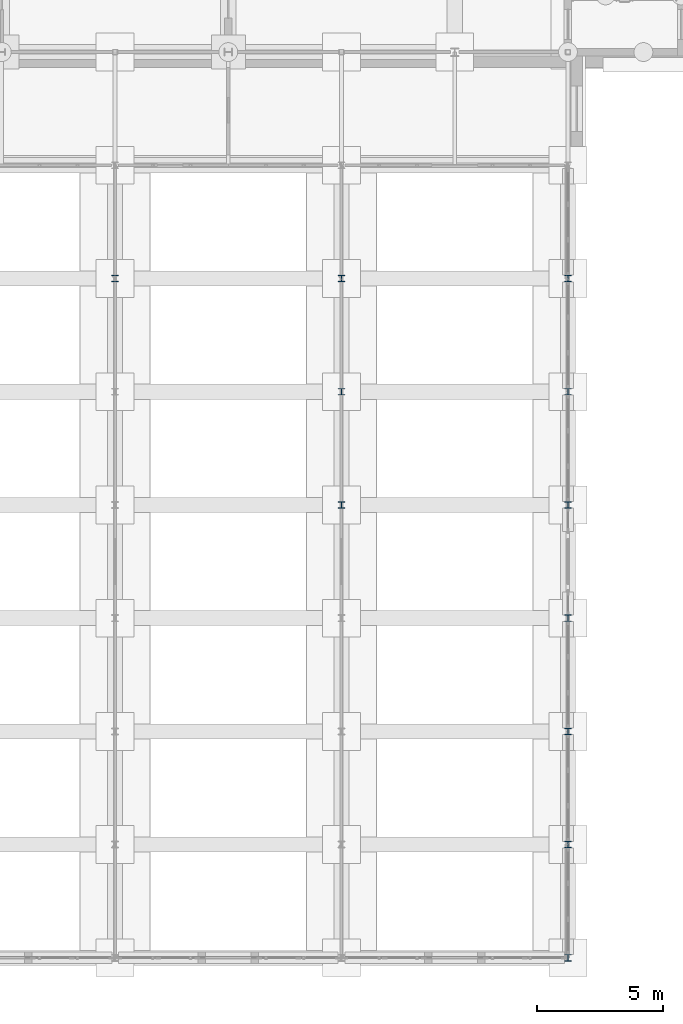
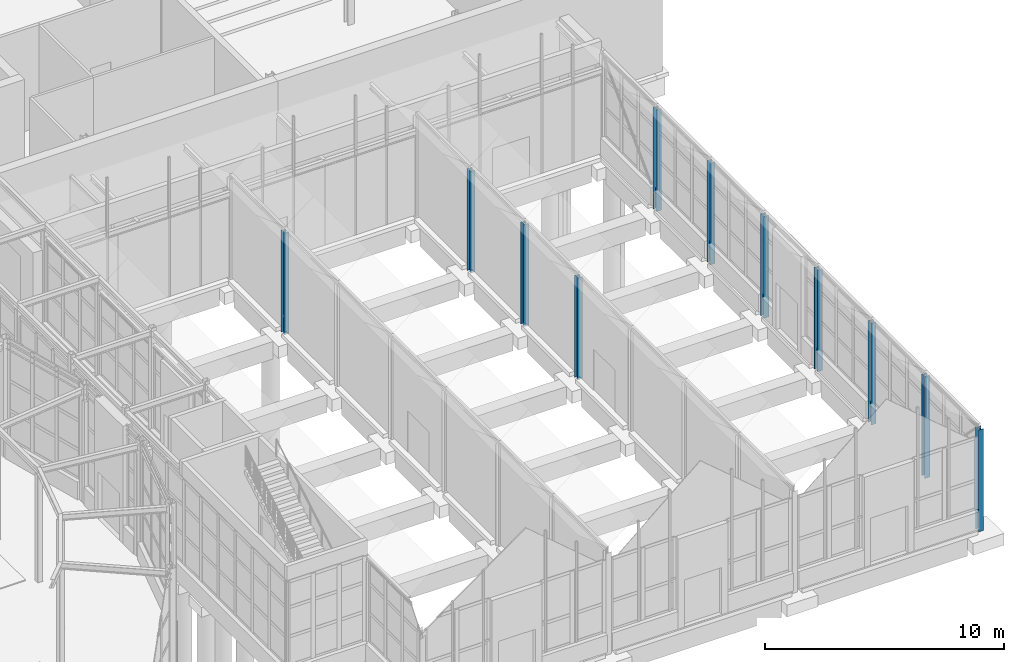
# One storey, part 18 of 106: 11 columns.
"""IFC4 building model written with IfcOpenShell, lengths in metres."""

from ifc_helpers import new_model, si_unit, direction, frame, origin, origin_2d, place, context, subcontext, project, spatial, i_section, extrude, material, material_profile, profile_set, type_object, element, save


model = new_model("IFC4")

# Units and contexts
model_context = context("Model", 3, precision=1e-05, world=origin(), true_north=direction((0.0, 1.0)))
body_context = subcontext(model_context, "Body", "Model", "MODEL_VIEW")
ifc_project = project(units=[si_unit("LENGTHUNIT", "METRE"), si_unit("AREAUNIT", "SQUARE_METRE"), si_unit("VOLUMEUNIT", "CUBIC_METRE"), si_unit("PLANEANGLEUNIT", "RADIAN"), si_unit("MASSUNIT", "GRAM", prefix="KILO")], contexts=[model_context])

# Site, building, storey
site_placement = place(None, origin())
site = spatial("IfcSite", under=ifc_project, at=site_placement, CompositionType="ELEMENT")
building_placement = place(site_placement, origin())
building = spatial("IfcBuilding", under=site, at=building_placement, Name="Hortulan Conservatory and Botanical Research Centre", CompositionType="ELEMENT")
storey_placement = place(building_placement, origin())
storey = spatial("IfcBuildingStorey", under=building, at=storey_placement, Name="L00", CompositionType="ELEMENT", Elevation=0.0)

# Columns
ifc_material = material(Name="Steel Grade 300PLUS (AS/NZS 3679.1, 280 MPa minimum yield)", Category="steel")
ifc_material_profile = material_profile(ifc_material, i_section(OverallWidth=0.25390625, OverallDepth=0.25390625, WebThickness=0.008544921875, FlangeThickness=0.01416015625, FilletRadius=0.013916015625, at=origin_2d()), Name="250UC72.9")
ifc_profile_set = profile_set([ifc_material_profile], Name="Steel Grade 300PLUS (AS/NZS 3679.1, 280 MPa minimum yield)")
column_type = type_object("IfcColumnType", Name="Climate House Column 250UC72.9", PredefinedType="COLUMN", material=ifc_profile_set)
for number, where, z_axis, x_axis, name in (
    (1, (85.5, 27.0, -0.199951171875), (0.0, 0.0, 1.0), (1.0, 0.0, 0.0), "Climate house column F2-7"),
    (2, (94.5, 18.0, -0.199951171875), (0.0, 0.0, 1.0), (1.0, 0.0, 0.0), "Climate house column F3-5"),
    (3, (94.5, 22.5, -0.199951171875), (0.0, 0.0, 1.0), (1.0, 0.0, 0.0), "Climate house column F3-6"),
    (4, (94.5, 27.0, -0.199951171875), (0.0, 0.0, 1.0), (1.0, 0.0, 0.0), "Climate house column F3-7"),
    (5, (103.5, 0.0, -0.199951171875), (0.0, 0.0, 1.0), (1.0, 0.0, 0.0), "Climate house column F4-1"),
    (6, (103.5, 4.5, -0.199951171875), (0.0, 0.0, 1.0), (1.0, 0.0, 0.0), "Climate house column F4-2"),
    (7, (103.5, 9.0, -0.199951171875), (0.0, 0.0, 1.0), (1.0, 0.0, 0.0), "Climate house column F4-3"),
    (8, (103.5, 13.5, -0.199951171875), (0.0, 0.0, 1.0), (1.0, 0.0, 0.0), "Climate house column F4-4"),
    (9, (103.5, 18.0, -0.199951171875), (0.0, 0.0, 1.0), (1.0, 0.0, 0.0), "Climate house column F4-5"),
    (10, (103.5, 22.5, -0.199951171875), (0.0, 0.0, 1.0), (1.0, 0.0, 0.0), "Climate house column F4-6"),
    (11, (103.5, 27.0, -0.199951171875), (0.0, 0.0, 1.0), (1.0, 0.0, 0.0), "Climate house column F4-7"),
):
    element("IfcColumn", number, at=place(storey_placement, frame(where, z_axis=z_axis, x_axis=x_axis)), inside=storey, type_object=column_type, Name=name, PredefinedType="COLUMN", context=body_context, shape_type="SweptSolid", body=[
        extrude(i_section(OverallWidth=0.25390625, OverallDepth=0.25390625, WebThickness=0.008544921875, FlangeThickness=0.01416015625, FilletRadius=0.013916015625, at=origin_2d()), origin(), (0.0, 0.0, 1.0), 5.199951171875),
    ])

save(model, "model.ifc")
